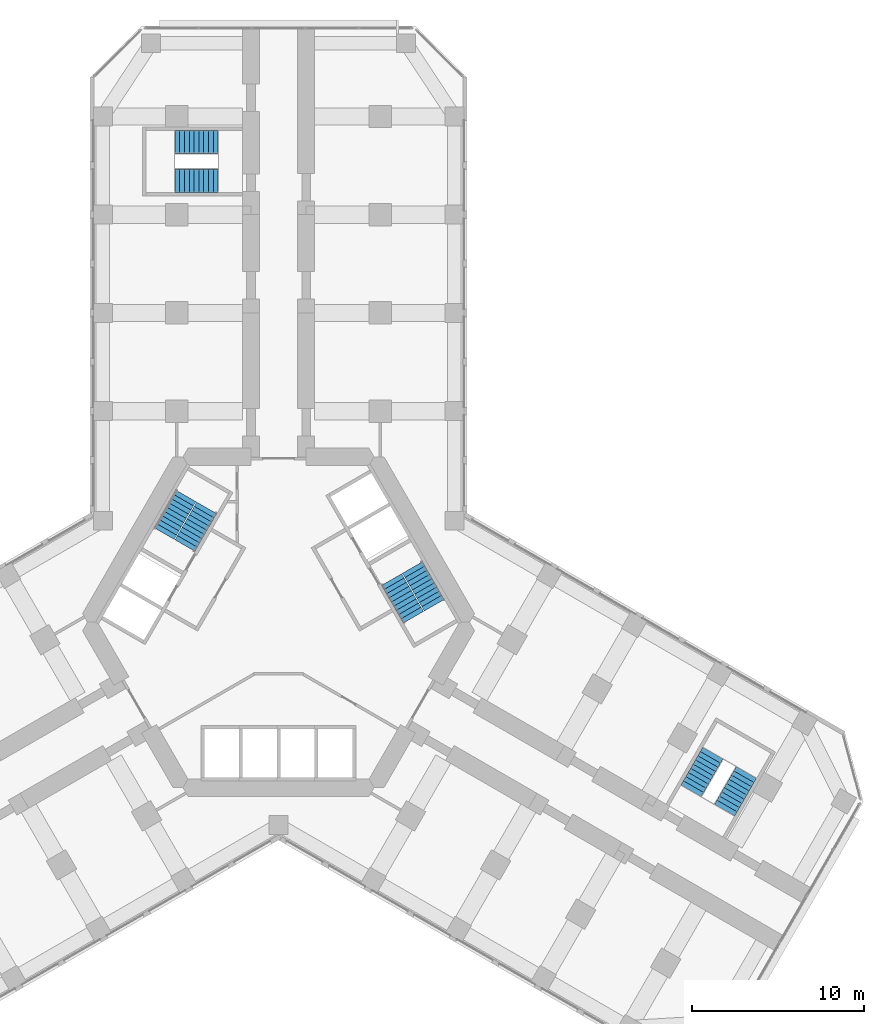
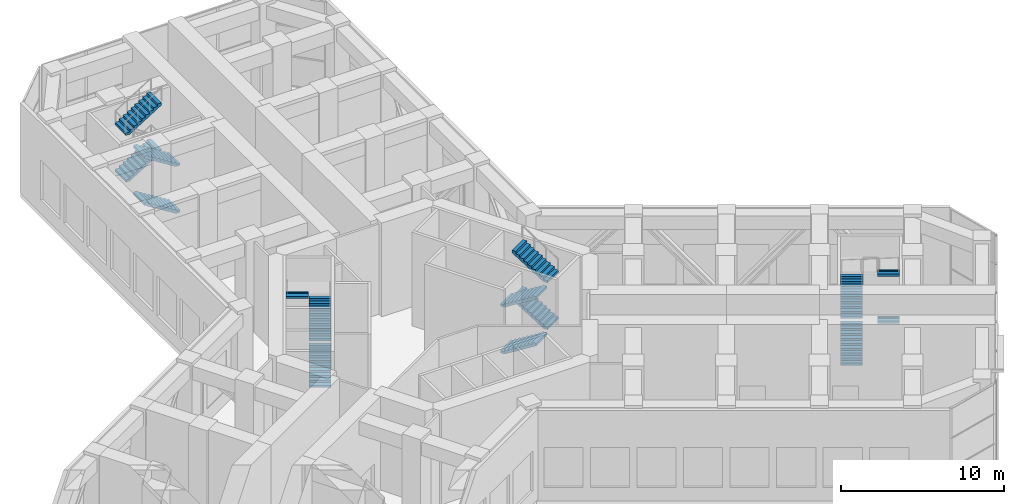
# One storey, part 15 of 17: 15 stair flights, 4 elements without a shape of their own.
"""IFC4 building model written with IfcOpenShell, lengths in metres."""

from ifc_helpers import new_model, si_unit, direction, frame, origin, place, context, subcontext, project, spatial, polyline, outline, extrude, material, type_object, element, aggregate, save


model = new_model("IFC4")

# Units and contexts
model_context = context("Model", 3, precision=1e-05, world=origin(), true_north=direction((0.0, 1.0)))
body_context = subcontext(model_context, "Body", "Model", "MODEL_VIEW")
ifc_project = project(units=[si_unit("LENGTHUNIT", "METRE"), si_unit("AREAUNIT", "SQUARE_METRE"), si_unit("VOLUMEUNIT", "CUBIC_METRE"), si_unit("PLANEANGLEUNIT", "RADIAN"), si_unit("MASSUNIT", "GRAM", prefix="KILO")], contexts=[model_context])

# Site, building, storey
site_placement = place(None, origin())
site = spatial("IfcSite", under=ifc_project, at=site_placement, CompositionType="ELEMENT")
building_placement = place(site_placement, origin())
building = spatial("IfcBuilding", under=site, at=building_placement, Name="Kosmar Iwan School Tower", CompositionType="ELEMENT")
storey_placement = place(building_placement, frame((0.0, 0.0, 32.39990234375)))
storey = spatial("IfcBuildingStorey", under=building, at=storey_placement, Name="L07", CompositionType="ELEMENT", Elevation=32.39990234375)

# Stair, stair flights
ifc_material_1 = material(Name="Concrete C35/45", Category="concrete")
stair_type_1 = type_object("IfcStairType", Name="Escape stair 3600", PredefinedType="HALF_TURN_STAIR", material=ifc_material_1)
stair_1_placement = place(storey_placement, origin())
stair_1 = element("IfcStair", 1, at=stair_1_placement, inside=storey, type_object=stair_type_1, Name="Stair WS1 L07", PredefinedType="HALF_TURN_STAIR")
ifc_material_2 = material(Name="Concrete C35/45", Category="concrete")
stair_flight_type_1 = type_object("IfcStairFlightType", Name="Escape stair flight 1350", PredefinedType="STRAIGHT", material=ifc_material_2)
stair_flight_1_placement = place(storey_placement, frame((-3.5, 25.625, 0.0), z_axis=(0.0, 0.0, 1.0), x_axis=(-1.0, 0.0, 0.0)))
stair_flight_1 = element("IfcStairFlight", 2, at=stair_flight_1_placement, type_object=stair_flight_type_1, Name="WS1 flight 1", NumberOfRisers=10, NumberOfTreads=9, PredefinedType="STRAIGHT", RiserHeight=0.175, TreadLength=0.28, context=body_context, shape_type="SweptSolid", body=[
    extrude(outline(polyline([(0.0, 0.0), (0.0, 0.175048828125), (0.280029296875, 0.175048828125), (0.280029296875, 0.35009765625), (0.56005859375, 0.35009765625), (0.56005859375, 0.52490234375), (0.840087890625, 0.52490234375), (0.840087890625, 0.699951171875), (1.1201171875, 0.699951171875), (1.1201171875, 0.875), (1.39990234375, 0.875), (1.39990234375, 1.050048828125), (1.679931640625, 1.050048828125), (1.679931640625, 1.22509765625), (1.9599609375, 1.22509765625), (1.9599609375, 1.39990234375), (2.239990234375, 1.39990234375), (2.239990234375, 1.574951171875), (2.52001953125, 1.574951171875), (2.52001953125, 1.75), (2.52001953125, 1.398193359375), (0.28271484375, 0.0), (0.0, 0.0)])), frame((0.0, 0.675048828125, 0.0), z_axis=(0.0, -1.0, 0.0), x_axis=(1.0, 0.0, 0.0)), (0.0, 0.0, 1.0), 1.35009765625),
])
stair_flight_2_placement = place(storey_placement, frame((-6.02001953125, 27.875, 1.75), z_axis=(0.0, 0.0, 1.0), x_axis=(1.0, 0.0, 0.0)))
stair_flight_2 = element("IfcStairFlight", 3, at=stair_flight_2_placement, type_object=stair_flight_type_1, Name="WS1 flight 2", NumberOfRisers=10, NumberOfTreads=9, PredefinedType="STRAIGHT", RiserHeight=0.175, TreadLength=0.28, context=body_context, shape_type="SweptSolid", body=[
    extrude(outline(polyline([(0.0, 0.0), (0.0, 0.175048828125), (0.280029296875, 0.175048828125), (0.280029296875, 0.35009765625), (0.56005859375, 0.35009765625), (0.56005859375, 0.52490234375), (0.840087890625, 0.52490234375), (0.840087890625, 0.699951171875), (1.1201171875, 0.699951171875), (1.1201171875, 0.875), (1.39990234375, 0.875), (1.39990234375, 1.050048828125), (1.679931640625, 1.050048828125), (1.679931640625, 1.22509765625), (1.9599609375, 1.22509765625), (1.9599609375, 1.39990234375), (2.239990234375, 1.39990234375), (2.239990234375, 1.574951171875), (2.52001953125, 1.574951171875), (2.52001953125, 1.75), (2.52001953125, 1.398193359375), (0.28271484375, 0.0), (0.0, 0.0)])), frame((0.0, 0.675048828125, 0.0), z_axis=(0.0, -1.0, 0.0), x_axis=(1.0, 0.0, 0.0)), (0.0, 0.0, 1.0), 1.35009765625),
])
stair_flight_3_placement = place(storey_placement, frame((-3.5, 25.625, 3.5), z_axis=(0.0, 0.0, 1.0), x_axis=(-1.0, 0.0, 0.0)))
stair_flight_3 = element("IfcStairFlight", 4, at=stair_flight_3_placement, type_object=stair_flight_type_1, Name="WS1 flight 3", NumberOfRisers=10, NumberOfTreads=9, PredefinedType="STRAIGHT", RiserHeight=0.175, TreadLength=0.28, context=body_context, shape_type="SweptSolid", body=[
    extrude(outline(polyline([(0.0, 0.0), (0.0, 0.175048828125), (0.280029296875, 0.175048828125), (0.280029296875, 0.35009765625), (0.56005859375, 0.35009765625), (0.56005859375, 0.52490234375), (0.840087890625, 0.52490234375), (0.840087890625, 0.699951171875), (1.1201171875, 0.699951171875), (1.1201171875, 0.875), (1.39990234375, 0.875), (1.39990234375, 1.050048828125), (1.679931640625, 1.050048828125), (1.679931640625, 1.22509765625), (1.9599609375, 1.22509765625), (1.9599609375, 1.39990234375), (2.239990234375, 1.39990234375), (2.239990234375, 1.574951171875), (2.52001953125, 1.574951171875), (2.52001953125, 1.75), (2.52001953125, 1.398193359375), (0.28271484375, 0.0), (0.0, 0.0)])), frame((0.0, 0.675048828125, 0.0), z_axis=(0.0, -1.0, 0.0), x_axis=(1.0, 0.0, 0.0)), (0.0, 0.0, 1.0), 1.35009765625),
])
stair_flight_4_placement = place(storey_placement, frame((-6.02001953125, 27.875, 5.25), z_axis=(0.0, 0.0, 1.0), x_axis=(1.0, 0.0, 0.0)))
stair_flight_4 = element("IfcStairFlight", 5, at=stair_flight_4_placement, type_object=stair_flight_type_1, Name="WS1 flight 4", NumberOfRisers=10, NumberOfTreads=9, PredefinedType="STRAIGHT", RiserHeight=0.175, TreadLength=0.28, context=body_context, shape_type="SweptSolid", body=[
    extrude(outline(polyline([(0.0, 0.0), (0.0, 0.175048828125), (0.280029296875, 0.175048828125), (0.280029296875, 0.35009765625), (0.56005859375, 0.35009765625), (0.56005859375, 0.52490234375), (0.840087890625, 0.52490234375), (0.840087890625, 0.699951171875), (1.1201171875, 0.699951171875), (1.1201171875, 0.875), (1.39990234375, 0.875), (1.39990234375, 1.050048828125), (1.679931640625, 1.050048828125), (1.679931640625, 1.22509765625), (1.9599609375, 1.22509765625), (1.9599609375, 1.39990234375), (2.239990234375, 1.39990234375), (2.239990234375, 1.574951171875), (2.52001953125, 1.574951171875), (2.52001953125, 1.75), (2.52001953125, 1.398193359375), (0.28271484375, 0.0), (0.0, 0.0)])), frame((0.0, 0.675048828125, 0.0), z_axis=(0.0, -1.0, 0.0), x_axis=(1.0, 0.0, 0.0)), (0.0, 0.0, 1.0), 1.35009765625),
])
aggregate(stair_1, [stair_flight_1, stair_flight_2, stair_flight_3, stair_flight_4])

stair_2_placement = place(storey_placement, origin())
stair_2 = element("IfcStair", 6, at=stair_2_placement, inside=storey, type_object=stair_type_1, Name="Stair WS3 L07", PredefinedType="HALF_TURN_STAIR")
stair_flight_5_placement = place(storey_placement, frame((23.94189453125, -9.781494140625, 0.0), z_axis=(0.0, 0.0, 1.0), x_axis=(0.5, 0.866025403784, 0.0)))
stair_flight_5 = element("IfcStairFlight", 7, at=stair_flight_5_placement, type_object=stair_flight_type_1, Name="WS3 flight 1", NumberOfRisers=10, NumberOfTreads=9, PredefinedType="STRAIGHT", RiserHeight=0.175, TreadLength=0.28, context=body_context, shape_type="SweptSolid", body=[
    extrude(outline(polyline([(0.0, 0.0), (0.0, 0.175048828125), (0.280029296875, 0.175048828125), (0.280029296875, 0.35009765625), (0.56005859375, 0.35009765625), (0.56005859375, 0.52490234375), (0.840087890625, 0.52490234375), (0.840087890625, 0.699951171875), (1.1201171875, 0.699951171875), (1.1201171875, 0.875), (1.39990234375, 0.875), (1.39990234375, 1.050048828125), (1.679931640625, 1.050048828125), (1.679931640625, 1.22509765625), (1.9599609375, 1.22509765625), (1.9599609375, 1.39990234375), (2.239990234375, 1.39990234375), (2.239990234375, 1.574951171875), (2.52001953125, 1.574951171875), (2.52001953125, 1.75), (2.52001953125, 1.398193359375), (0.28271484375, 0.0), (0.0, 0.0)])), frame((0.0, 0.675048828125, 0.0), z_axis=(0.0, -1.0, 0.0), x_axis=(1.0, 0.0, 0.0)), (0.0, 0.0, 1.0), 1.35009765625),
])
stair_flight_6_placement = place(storey_placement, frame((27.150390625, -8.72412109375, 1.75), z_axis=(0.0, 0.0, 1.0), x_axis=(-0.5, -0.866025403784, 0.0)))
stair_flight_6 = element("IfcStairFlight", 8, at=stair_flight_6_placement, type_object=stair_flight_type_1, Name="WS3 flight 2", NumberOfRisers=10, NumberOfTreads=9, PredefinedType="STRAIGHT", RiserHeight=0.175, TreadLength=0.28, context=body_context, shape_type="SweptSolid", body=[
    extrude(outline(polyline([(0.0, 0.0), (0.0, 0.175048828125), (0.280029296875, 0.175048828125), (0.280029296875, 0.35009765625), (0.56005859375, 0.35009765625), (0.56005859375, 0.52490234375), (0.840087890625, 0.52490234375), (0.840087890625, 0.699951171875), (1.1201171875, 0.699951171875), (1.1201171875, 0.875), (1.39990234375, 0.875), (1.39990234375, 1.050048828125), (1.679931640625, 1.050048828125), (1.679931640625, 1.22509765625), (1.9599609375, 1.22509765625), (1.9599609375, 1.39990234375), (2.239990234375, 1.39990234375), (2.239990234375, 1.574951171875), (2.52001953125, 1.574951171875), (2.52001953125, 1.75), (2.52001953125, 1.398193359375), (0.28271484375, 0.0), (0.0, 0.0)])), frame((0.0, 0.675048828125, 0.0), z_axis=(0.0, -1.0, 0.0), x_axis=(1.0, 0.0, 0.0)), (0.0, 0.0, 1.0), 1.35009765625),
])
stair_flight_7_placement = place(storey_placement, frame((23.94189453125, -9.781494140625, 3.5), z_axis=(0.0, 0.0, 1.0), x_axis=(0.5, 0.866025403784, 0.0)))
stair_flight_7 = element("IfcStairFlight", 9, at=stair_flight_7_placement, type_object=stair_flight_type_1, Name="WS3 flight 3", NumberOfRisers=10, NumberOfTreads=9, PredefinedType="STRAIGHT", RiserHeight=0.175, TreadLength=0.28, context=body_context, shape_type="SweptSolid", body=[
    extrude(outline(polyline([(0.0, 0.0), (0.0, 0.175048828125), (0.280029296875, 0.175048828125), (0.280029296875, 0.35009765625), (0.56005859375, 0.35009765625), (0.56005859375, 0.52490234375), (0.840087890625, 0.52490234375), (0.840087890625, 0.699951171875), (1.1201171875, 0.699951171875), (1.1201171875, 0.875), (1.39990234375, 0.875), (1.39990234375, 1.050048828125), (1.679931640625, 1.050048828125), (1.679931640625, 1.22509765625), (1.9599609375, 1.22509765625), (1.9599609375, 1.39990234375), (2.239990234375, 1.39990234375), (2.239990234375, 1.574951171875), (2.52001953125, 1.574951171875), (2.52001953125, 1.75), (2.52001953125, 1.398193359375), (0.28271484375, 0.0), (0.0, 0.0)])), frame((0.0, 0.675048828125, 0.0), z_axis=(0.0, -1.0, 0.0), x_axis=(1.0, 0.0, 0.0)), (0.0, 0.0, 1.0), 1.35009765625),
])
stair_flight_8_placement = place(storey_placement, frame((27.150390625, -8.72412109375, 5.25), z_axis=(0.0, 0.0, 1.0), x_axis=(-0.5, -0.866025403784, 0.0)))
stair_flight_8 = element("IfcStairFlight", 10, at=stair_flight_8_placement, type_object=stair_flight_type_1, Name="WS3 flight 4", NumberOfRisers=10, NumberOfTreads=9, PredefinedType="STRAIGHT", RiserHeight=0.175, TreadLength=0.28, context=body_context, shape_type="SweptSolid", body=[
    extrude(outline(polyline([(0.0, 0.0), (0.0, 0.175048828125), (0.280029296875, 0.175048828125), (0.280029296875, 0.35009765625), (0.56005859375, 0.35009765625), (0.56005859375, 0.52490234375), (0.840087890625, 0.52490234375), (0.840087890625, 0.699951171875), (1.1201171875, 0.699951171875), (1.1201171875, 0.875), (1.39990234375, 0.875), (1.39990234375, 1.050048828125), (1.679931640625, 1.050048828125), (1.679931640625, 1.22509765625), (1.9599609375, 1.22509765625), (1.9599609375, 1.39990234375), (2.239990234375, 1.39990234375), (2.239990234375, 1.574951171875), (2.52001953125, 1.574951171875), (2.52001953125, 1.75), (2.52001953125, 1.398193359375), (0.28271484375, 0.0), (0.0, 0.0)])), frame((0.0, 0.675048828125, 0.0), z_axis=(0.0, -1.0, 0.0), x_axis=(1.0, 0.0, 0.0)), (0.0, 0.0, 1.0), 1.35009765625),
])
aggregate(stair_2, [stair_flight_5, stair_flight_6, stair_flight_7, stair_flight_8])

ifc_material_3 = material(Name="Concrete C35/45", Category="concrete")
stair_type_2 = type_object("IfcStairType", Name="Core stair 2750", PredefinedType="HALF_TURN_STAIR", material=ifc_material_3)
stair_3_placement = place(storey_placement, origin())
stair_3 = element("IfcStair", 11, at=stair_3_placement, inside=storey, type_object=stair_type_2, Name="Stair ST2 L07", PredefinedType="HALF_TURN_STAIR")
ifc_material_4 = material(Name="Concrete C35/45", Category="concrete")
stair_flight_type_2 = type_object("IfcStairFlightType", Name="Stair flight 1350", PredefinedType="STRAIGHT", material=ifc_material_4)
stair_flight_9_placement = place(storey_placement, frame((-5.42724609375, 4.44970703125, 0.0), z_axis=(0.0, 0.0, 1.0), x_axis=(0.5, 0.866025403784, 0.0)))
stair_flight_9 = element("IfcStairFlight", 12, at=stair_flight_9_placement, type_object=stair_flight_type_2, Name="ST2 flight 1", NumberOfRisers=10, NumberOfTreads=9, PredefinedType="STRAIGHT", RiserHeight=0.175, TreadLength=0.28, context=body_context, shape_type="SweptSolid", body=[
    extrude(outline(polyline([(0.0, 0.0), (0.0, 0.175048828125), (0.280029296875, 0.175048828125), (0.280029296875, 0.35009765625), (0.56005859375, 0.35009765625), (0.56005859375, 0.52490234375), (0.840087890625, 0.52490234375), (0.840087890625, 0.699951171875), (1.1201171875, 0.699951171875), (1.1201171875, 0.875), (1.39990234375, 0.875), (1.39990234375, 1.050048828125), (1.679931640625, 1.050048828125), (1.679931640625, 1.22509765625), (1.9599609375, 1.22509765625), (1.9599609375, 1.39990234375), (2.239990234375, 1.39990234375), (2.239990234375, 1.574951171875), (2.52001953125, 1.574951171875), (2.52001953125, 1.75), (2.52001953125, 1.398193359375), (0.28271484375, 0.0), (0.0, 0.0)])), frame((0.0, 0.675048828125, 0.0), z_axis=(0.0, -1.0, 0.0), x_axis=(1.0, 0.0, 0.0)), (0.0, 0.0, 1.0), 1.35009765625),
])
stair_flight_10_placement = place(storey_placement, frame((-5.42724609375, 4.44970703125, 3.5), z_axis=(0.0, 0.0, 1.0), x_axis=(0.5, 0.866025403784, 0.0)))
stair_flight_10 = element("IfcStairFlight", 13, at=stair_flight_10_placement, type_object=stair_flight_type_2, Name="ST2 flight 3", NumberOfRisers=10, NumberOfTreads=9, PredefinedType="STRAIGHT", RiserHeight=0.175, TreadLength=0.28, context=body_context, shape_type="SweptSolid", body=[
    extrude(outline(polyline([(0.0, 0.0), (0.0, 0.175048828125), (0.280029296875, 0.175048828125), (0.280029296875, 0.35009765625), (0.56005859375, 0.35009765625), (0.56005859375, 0.52490234375), (0.840087890625, 0.52490234375), (0.840087890625, 0.699951171875), (1.1201171875, 0.699951171875), (1.1201171875, 0.875), (1.39990234375, 0.875), (1.39990234375, 1.050048828125), (1.679931640625, 1.050048828125), (1.679931640625, 1.22509765625), (1.9599609375, 1.22509765625), (1.9599609375, 1.39990234375), (2.239990234375, 1.39990234375), (2.239990234375, 1.574951171875), (2.52001953125, 1.574951171875), (2.52001953125, 1.75), (2.52001953125, 1.398193359375), (0.28271484375, 0.0), (0.0, 0.0)])), frame((0.0, 0.675048828125, 0.0), z_axis=(0.0, -1.0, 0.0), x_axis=(1.0, 0.0, 0.0)), (0.0, 0.0, 1.0), 1.35009765625),
])
stair_flight_11_placement = place(storey_placement, frame((-5.379638671875, 7.33203125, 5.25), z_axis=(0.0, 0.0, 1.0), x_axis=(-0.5, -0.866025403784, 0.0)))
stair_flight_11 = element("IfcStairFlight", 14, at=stair_flight_11_placement, type_object=stair_flight_type_2, Name="ST2 flight 4", NumberOfRisers=10, NumberOfTreads=9, PredefinedType="STRAIGHT", RiserHeight=0.175, TreadLength=0.28, context=body_context, shape_type="SweptSolid", body=[
    extrude(outline(polyline([(0.0, 0.0), (0.0, 0.175048828125), (0.280029296875, 0.175048828125), (0.280029296875, 0.35009765625), (0.56005859375, 0.35009765625), (0.56005859375, 0.52490234375), (0.840087890625, 0.52490234375), (0.840087890625, 0.699951171875), (1.1201171875, 0.699951171875), (1.1201171875, 0.875), (1.39990234375, 0.875), (1.39990234375, 1.050048828125), (1.679931640625, 1.050048828125), (1.679931640625, 1.22509765625), (1.9599609375, 1.22509765625), (1.9599609375, 1.39990234375), (2.239990234375, 1.39990234375), (2.239990234375, 1.574951171875), (2.52001953125, 1.574951171875), (2.52001953125, 1.75), (2.52001953125, 1.398193359375), (0.28271484375, 0.0), (0.0, 0.0)])), frame((0.0, 0.675048828125, 0.0), z_axis=(0.0, -1.0, 0.0), x_axis=(1.0, 0.0, 0.0)), (0.0, 0.0, 1.0), 1.35009765625),
])
aggregate(stair_3, [stair_flight_9, stair_flight_10, stair_flight_11])

stair_4_placement = place(storey_placement, origin())
stair_4 = element("IfcStair", 15, at=stair_4_placement, inside=storey, type_object=stair_type_2, Name="Stair ST1 L07", PredefinedType="HALF_TURN_STAIR")
stair_flight_12_placement = place(storey_placement, frame((6.567138671875, 2.475341796875, 0.0), z_axis=(0.0, 0.0, 1.0), x_axis=(0.5, -0.866025403784, 0.0)))
stair_flight_12 = element("IfcStairFlight", 16, at=stair_flight_12_placement, type_object=stair_flight_type_2, Name="ST1 flight 1", NumberOfRisers=10, NumberOfTreads=9, PredefinedType="STRAIGHT", RiserHeight=0.175, TreadLength=0.28, context=body_context, shape_type="SweptSolid", body=[
    extrude(outline(polyline([(0.0, 0.0), (0.0, 0.175048828125), (0.280029296875, 0.175048828125), (0.280029296875, 0.35009765625), (0.56005859375, 0.35009765625), (0.56005859375, 0.52490234375), (0.840087890625, 0.52490234375), (0.840087890625, 0.699951171875), (1.1201171875, 0.699951171875), (1.1201171875, 0.875), (1.39990234375, 0.875), (1.39990234375, 1.050048828125), (1.679931640625, 1.050048828125), (1.679931640625, 1.22509765625), (1.9599609375, 1.22509765625), (1.9599609375, 1.39990234375), (2.239990234375, 1.39990234375), (2.239990234375, 1.574951171875), (2.52001953125, 1.574951171875), (2.52001953125, 1.75), (2.52001953125, 1.398193359375), (0.28271484375, 0.0), (0.0, 0.0)])), frame((0.0, 0.675048828125, 0.0), z_axis=(0.0, -1.0, 0.0), x_axis=(1.0, 0.0, 0.0)), (0.0, 0.0, 1.0), 1.35009765625),
])
stair_flight_13_placement = place(storey_placement, frame((9.03955078125, 0.992919921875, 1.75), z_axis=(0.0, 0.0, 1.0), x_axis=(-0.5, 0.866025403784, 0.0)))
stair_flight_13 = element("IfcStairFlight", 17, at=stair_flight_13_placement, type_object=stair_flight_type_2, Name="ST1 flight 2", NumberOfRisers=10, NumberOfTreads=9, PredefinedType="STRAIGHT", RiserHeight=0.175, TreadLength=0.28, context=body_context, shape_type="SweptSolid", body=[
    extrude(outline(polyline([(0.0, 0.0), (0.0, 0.175048828125), (0.280029296875, 0.175048828125), (0.280029296875, 0.35009765625), (0.56005859375, 0.35009765625), (0.56005859375, 0.52490234375), (0.840087890625, 0.52490234375), (0.840087890625, 0.699951171875), (1.1201171875, 0.699951171875), (1.1201171875, 0.875), (1.39990234375, 0.875), (1.39990234375, 1.050048828125), (1.679931640625, 1.050048828125), (1.679931640625, 1.22509765625), (1.9599609375, 1.22509765625), (1.9599609375, 1.39990234375), (2.239990234375, 1.39990234375), (2.239990234375, 1.574951171875), (2.52001953125, 1.574951171875), (2.52001953125, 1.75), (2.52001953125, 1.398193359375), (0.28271484375, 0.0), (0.0, 0.0)])), frame((0.0, 0.675048828125, 0.0), z_axis=(0.0, -1.0, 0.0), x_axis=(1.0, 0.0, 0.0)), (0.0, 0.0, 1.0), 1.35009765625),
])
stair_flight_14_placement = place(storey_placement, frame((6.567138671875, 2.475341796875, 3.5), z_axis=(0.0, 0.0, 1.0), x_axis=(0.5, -0.866025403784, 0.0)))
stair_flight_14 = element("IfcStairFlight", 18, at=stair_flight_14_placement, type_object=stair_flight_type_2, Name="ST1 flight 3", NumberOfRisers=10, NumberOfTreads=9, PredefinedType="STRAIGHT", RiserHeight=0.175, TreadLength=0.28, context=body_context, shape_type="SweptSolid", body=[
    extrude(outline(polyline([(0.0, 0.0), (0.0, 0.175048828125), (0.280029296875, 0.175048828125), (0.280029296875, 0.35009765625), (0.56005859375, 0.35009765625), (0.56005859375, 0.52490234375), (0.840087890625, 0.52490234375), (0.840087890625, 0.699951171875), (1.1201171875, 0.699951171875), (1.1201171875, 0.875), (1.39990234375, 0.875), (1.39990234375, 1.050048828125), (1.679931640625, 1.050048828125), (1.679931640625, 1.22509765625), (1.9599609375, 1.22509765625), (1.9599609375, 1.39990234375), (2.239990234375, 1.39990234375), (2.239990234375, 1.574951171875), (2.52001953125, 1.574951171875), (2.52001953125, 1.75), (2.52001953125, 1.398193359375), (0.28271484375, 0.0), (0.0, 0.0)])), frame((0.0, 0.675048828125, 0.0), z_axis=(0.0, -1.0, 0.0), x_axis=(1.0, 0.0, 0.0)), (0.0, 0.0, 1.0), 1.35009765625),
])
stair_flight_15_placement = place(storey_placement, frame((9.03955078125, 0.992919921875, 5.25), z_axis=(0.0, 0.0, 1.0), x_axis=(-0.5, 0.866025403784, 0.0)))
stair_flight_15 = element("IfcStairFlight", 19, at=stair_flight_15_placement, type_object=stair_flight_type_2, Name="ST1 flight 4", NumberOfRisers=10, NumberOfTreads=9, PredefinedType="STRAIGHT", RiserHeight=0.175, TreadLength=0.28, context=body_context, shape_type="SweptSolid", body=[
    extrude(outline(polyline([(0.0, 0.0), (0.0, 0.175048828125), (0.280029296875, 0.175048828125), (0.280029296875, 0.35009765625), (0.56005859375, 0.35009765625), (0.56005859375, 0.52490234375), (0.840087890625, 0.52490234375), (0.840087890625, 0.699951171875), (1.1201171875, 0.699951171875), (1.1201171875, 0.875), (1.39990234375, 0.875), (1.39990234375, 1.050048828125), (1.679931640625, 1.050048828125), (1.679931640625, 1.22509765625), (1.9599609375, 1.22509765625), (1.9599609375, 1.39990234375), (2.239990234375, 1.39990234375), (2.239990234375, 1.574951171875), (2.52001953125, 1.574951171875), (2.52001953125, 1.75), (2.52001953125, 1.398193359375), (0.28271484375, 0.0), (0.0, 0.0)])), frame((0.0, 0.675048828125, 0.0), z_axis=(0.0, -1.0, 0.0), x_axis=(1.0, 0.0, 0.0)), (0.0, 0.0, 1.0), 1.35009765625),
])
aggregate(stair_4, [stair_flight_12, stair_flight_13, stair_flight_14, stair_flight_15])

save(model, "model.ifc")
